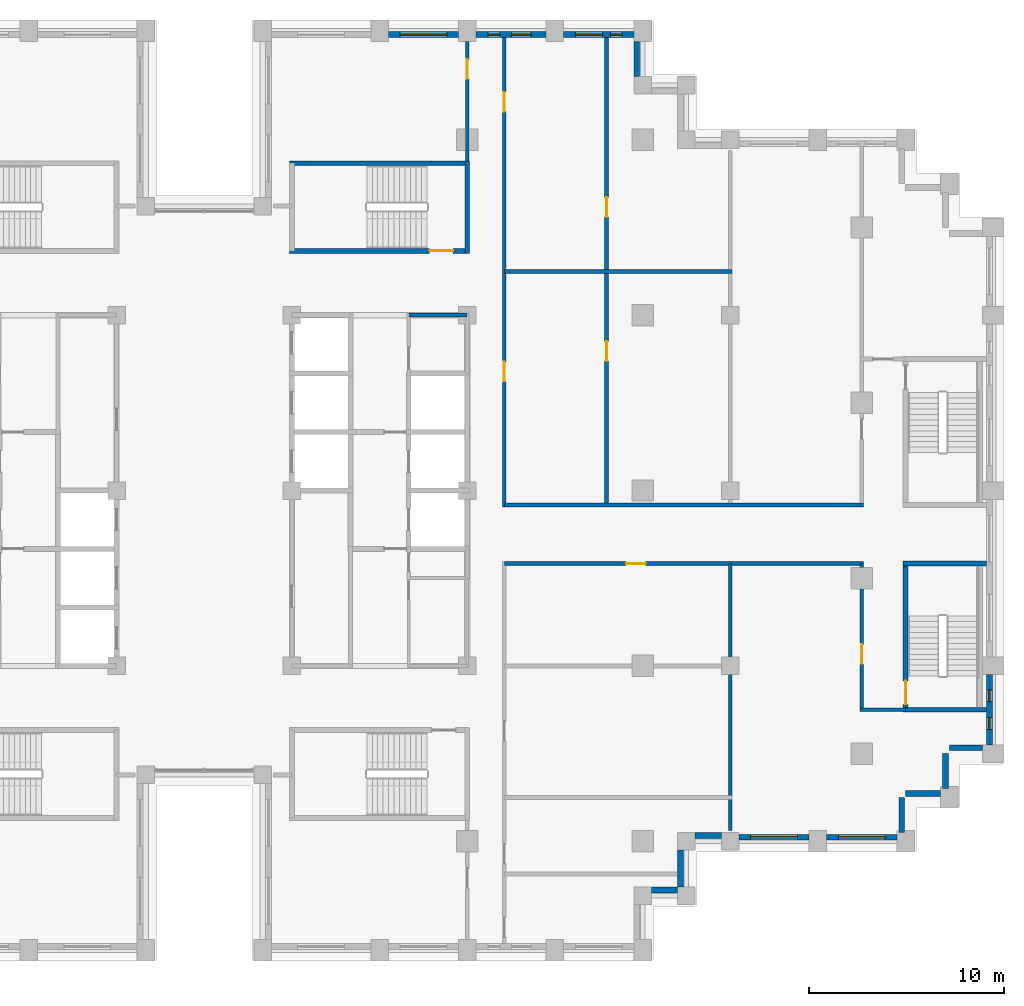
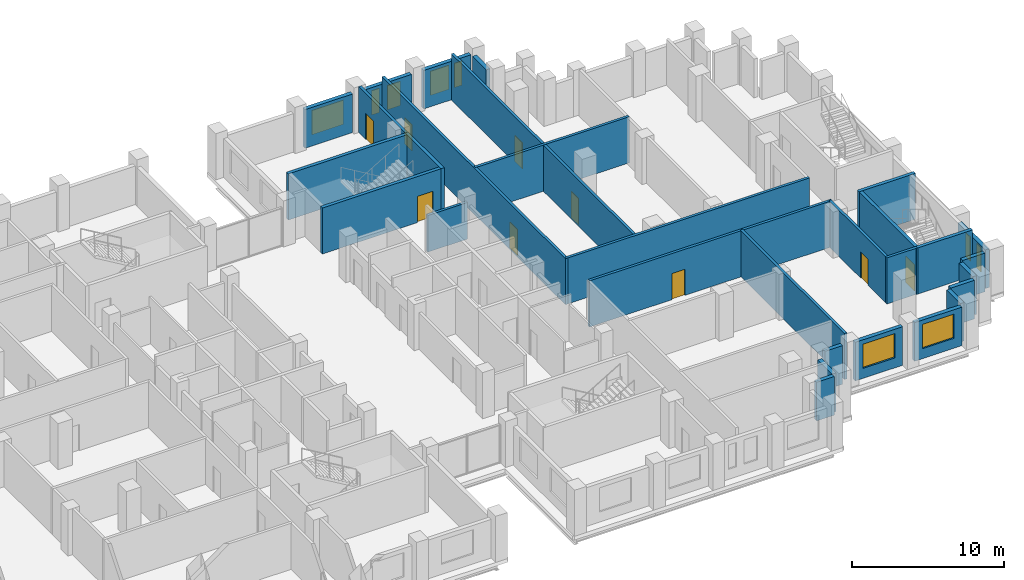
# One storey, part 11 of 15: 30 walls, 9 doors, 9 windows, 18 openings.
"""IFC4 building model written with IfcOpenShell, lengths in metres."""

import ifcopenshell
import ifcopenshell.guid

model = None  # the IFC model being written
_history = None  # IfcOwnerHistory: only IFC2X3 demands one
_inside = {}  # id of a spatial element -> (the spatial element, [elements in it])
_under = {}  # id of a project, library or spatial element -> (it, [spatial elements below it])
_declared = {}  # id of a project -> (the project, [libraries it declares])
_typed = {}  # id of a type object -> (the type object, [elements of that type])
_made_of = {}  # id of a material, layer set ... -> (it, [elements and type objects made of it])


def new_model(schema):
    """Start an empty IFC model of exactly this schema.

    Asked for "IFC4X3", IfcOpenShell would pick the latest addendum, in which some entities
    have other attributes; the version numbers below select the first issue.
    IFC2X3 requires an IfcOwnerHistory on every rooted entity: one is made here for all.
    """
    global model, _history
    if schema == "IFC4X3":
        model = ifcopenshell.file(schema_version=(4, 3, 0, 0))
    else:
        model = ifcopenshell.file(schema=schema)
    _inside.clear()
    _under.clear()
    _declared.clear()
    _typed.clear()
    _made_of.clear()
    _history = None
    if model.schema == "IFC2X3":
        org = make("IfcOrganization", Name="unknown")
        user = make(
            "IfcPersonAndOrganization",
            ThePerson=make("IfcPerson", FamilyName="unknown"),
            TheOrganization=org,
        )
        app = make(
            "IfcApplication",
            ApplicationDeveloper=org,
            Version="unknown",
            ApplicationFullName="unknown",
            ApplicationIdentifier="unknown",
        )
        _history = make(
            "IfcOwnerHistory",
            OwningUser=user,
            OwningApplication=app,
            ChangeAction="ADDED",
            CreationDate=0,
        )
    return model


def make(cls, **values):
    """One entity of the class cls with the attributes given. An attribute that is None is left unset."""
    return model.create_entity(
        cls, **{name: value for name, value in values.items() if value is not None}
    )


def rooted(cls, **values):
    """An entity with a GlobalId (a new one), such as an element, a storey or a relation."""
    return make(cls, GlobalId=ifcopenshell.guid.new(), OwnerHistory=_history, **values)


def si_unit(unit_type, name, prefix=None):
    """IfcSIUnit, for example si_unit("LENGTHUNIT", "METRE", prefix="MILLI")."""
    return make("IfcSIUnit", UnitType=unit_type, Prefix=prefix, Name=name)


def assignment(units):
    """IfcUnitAssignment: the units of a project."""
    return None if units is None else make("IfcUnitAssignment", Units=units)


def point(xyz):
    """IfcCartesianPoint."""
    return None if xyz is None else make("IfcCartesianPoint", Coordinates=xyz)


def direction(xyz):
    """IfcDirection."""
    return None if xyz is None else make("IfcDirection", DirectionRatios=xyz)


def frame(location, z_axis=None, x_axis=None):
    """IfcAxis2Placement3D, a coordinate frame: its origin and axes. An axis left out is left unset."""
    return make(
        "IfcAxis2Placement3D",
        Location=point(location),
        Axis=direction(z_axis),
        RefDirection=direction(x_axis),
    )


def frame_2d(location, x_axis=None):
    """IfcAxis2Placement2D, a coordinate frame in the plane: its origin and x axis."""
    return make(
        "IfcAxis2Placement2D", Location=point(location), RefDirection=direction(x_axis)
    )


def origin():
    """The frame at (0, 0, 0) with its axes left unset."""
    return frame((0.0, 0.0, 0.0))


def place(relative_to, where):
    """IfcLocalPlacement: puts the frame where relative to a parent placement (None: the world)."""
    return make(
        "IfcLocalPlacement", PlacementRelTo=relative_to, RelativePlacement=where
    )


def context(
    kind, dimensions, precision=None, world=None, true_north=None, identifier=None
):
    """IfcGeometricRepresentationContext, for example the 3D "Model" context."""
    return make(
        "IfcGeometricRepresentationContext",
        ContextIdentifier=identifier,
        ContextType=kind,
        CoordinateSpaceDimension=dimensions,
        Precision=precision,
        WorldCoordinateSystem=world,
        TrueNorth=true_north,
    )


def subcontext(parent, identifier, kind, view, scale=None):
    """IfcGeometricRepresentationSubContext, for example "Body" below "Model"."""
    return make(
        "IfcGeometricRepresentationSubContext",
        ContextIdentifier=identifier,
        ContextType=kind,
        ParentContext=parent,
        TargetScale=scale,
        TargetView=view,
    )


def project(units=None, contexts=None):
    """IfcProject with its units and contexts."""
    return rooted(
        "IfcProject",
        Name="project",
        RepresentationContexts=contexts,
        UnitsInContext=assignment(units),
    )


def spatial(cls, under=None, at=None, **own):
    """A site, building, storey or space (cls), placed at a placement, below another one or the project."""
    s = rooted(cls, ObjectPlacement=at, **own)
    if under is not None:
        _under.setdefault(under.id(), (under, []))[1].append(s)
    return s


def profile(cls, at=None, kind="AREA", **sizes):
    """A parametric profile (cls). Its sizes go by their IFC names, for example OverallWidth=200.0."""
    return make(cls, ProfileType=kind, Position=at, **sizes)


def rectangle(**sizes):
    """IfcRectangleProfileDef."""
    return profile("IfcRectangleProfileDef", **sizes)


def extrude(swept, where, along, depth):
    """IfcExtrudedAreaSolid: the profile swept, set in the frame where, extruded along a direction by depth."""
    return make(
        "IfcExtrudedAreaSolid",
        SweptArea=swept,
        Position=where,
        ExtrudedDirection=direction(along),
        Depth=depth,
    )


def shape(context_of_items, identifier, shape_type, items):
    """IfcShapeRepresentation: the items that make up one representation, for example the "Body"."""
    return make(
        "IfcShapeRepresentation",
        ContextOfItems=context_of_items,
        RepresentationIdentifier=identifier,
        RepresentationType=shape_type,
        Items=items,
    )


def material(Name=None, Category=None):
    """IfcMaterial."""
    return make("IfcMaterial", Name=Name, Category=Category)


def layer(
    of_material, thickness, ventilated=None, Name=None, Category=None, Priority=None
):
    """IfcMaterialLayer: one layer of a wall or slab, of a material (None: an air gap)."""
    return make(
        "IfcMaterialLayer",
        Material=of_material,
        LayerThickness=thickness,
        IsVentilated=ventilated,
        Name=Name,
        Category=Category,
        Priority=Priority,
    )


def layer_set(layers, Name=None):
    """IfcMaterialLayerSet."""
    return make("IfcMaterialLayerSet", MaterialLayers=layers, LayerSetName=Name)


def made_of(thing, what):
    """Note that an element or type object is made of a material, layer set ...; save() writes the relation."""
    if what is not None:
        _made_of.setdefault(what.id(), (what, []))[1].append(thing)
    return thing


def type_object(cls, material=None, **own):
    """A type object (cls), such as IfcWallType, which elements share."""
    return made_of(rooted(cls, **own), material)


def element(
    cls,
    number,
    at=None,
    inside=None,
    cuts=None,
    type_object=None,
    material=None,
    context=None,
    identifier="Body",
    shape_type=None,
    held_by="IfcProductDefinitionShape",
    body=None,
    shapes=None,
    **own,
):
    """One element of the class cls, such as IfcWall. Its Tag is "e" and its number.

    at: its placement. inside: the storey or other place that contains it. cuts: it is an
    opening in that element (IfcRelVoidsElement). A single representation is given by context,
    identifier, shape_type and body (its items); several are given by shapes. held_by: the class
    of the entity that holds the representations. save() writes the other relations.
    """
    e = rooted(cls, Tag="e%d" % number, ObjectPlacement=at, **own)
    if body is not None:
        shapes = [shape(context, identifier, shape_type, body)]
    if shapes is not None:
        e.Representation = make(held_by, Representations=shapes)
    if inside is not None:
        _inside.setdefault(inside.id(), (inside, []))[1].append(e)
    if cuts is not None:
        rooted(
            "IfcRelVoidsElement", RelatingBuildingElement=cuts, RelatedOpeningElement=e
        )
    if type_object is not None:
        _typed.setdefault(type_object.id(), (type_object, []))[1].append(e)
    return made_of(e, material)


def fill(opening, filler):
    """IfcRelFillsElement: the door or window that sits in an opening."""
    return rooted(
        "IfcRelFillsElement",
        RelatingOpeningElement=opening,
        RelatedBuildingElement=filler,
    )


def aggregate(whole, parts):
    """IfcRelAggregates: a whole, such as a stair, and the parts it consists of."""
    return rooted("IfcRelAggregates", RelatingObject=whole, RelatedObjects=parts)


def save(model, path):
    """Write the relations noted so far, then the file.

    IfcRelAggregates (storeys below a building ...), IfcRelContainedInSpatialStructure (elements
    in a storey), IfcRelDefinesByType, IfcRelAssociatesMaterial and IfcRelDeclares: one each for
    every whole, place, type object, material and project.
    """
    for whole, parts in _under.values():
        aggregate(whole, parts)
    for where, things in _inside.values():
        rooted(
            "IfcRelContainedInSpatialStructure",
            RelatedElements=things,
            RelatingStructure=where,
        )
    for kind, things in _typed.values():
        rooted("IfcRelDefinesByType", RelatedObjects=things, RelatingType=kind)
    for what, things in _made_of.values():
        rooted("IfcRelAssociatesMaterial", RelatedObjects=things, RelatingMaterial=what)
    for by, libraries in _declared.values():
        rooted("IfcRelDeclares", RelatingContext=by, RelatedDefinitions=libraries)
    model.write(path)


model = new_model("IFC4")

# Units and contexts
model_context = context("Model", 3, precision=1e-05, world=origin(), true_north=direction((0.0, 1.0)))
body_context = subcontext(model_context, "Body", "Model", "MODEL_VIEW")
ifc_project = project(units=[si_unit("LENGTHUNIT", "METRE"), si_unit("AREAUNIT", "SQUARE_METRE"), si_unit("VOLUMEUNIT", "CUBIC_METRE"), si_unit("PLANEANGLEUNIT", "RADIAN"), si_unit("MASSUNIT", "GRAM", prefix="KILO")], contexts=[model_context])

# Site, building, storey
site_placement = place(None, origin())
site = spatial("IfcSite", under=ifc_project, at=site_placement, CompositionType="ELEMENT")
building_placement = place(site_placement, origin())
building = spatial("IfcBuilding", under=site, at=building_placement, Name="Corbelhall Arena Tower", CompositionType="ELEMENT")
storey_placement = place(building_placement, frame((0.0, 0.0, 166.0)))
storey = spatial("IfcBuildingStorey", under=building, at=storey_placement, Name="L33", CompositionType="ELEMENT", Elevation=166.0)

# Walls
ifc_material_1 = material(Name="Precast concrete C40/50 with granite facing", Category="masonry")
ifc_layer_1 = layer(ifc_material_1, 0.300048828125)
ifc_layer_set_1 = layer_set([ifc_layer_1], Name="EV-IW1 Infill panel 300")
wall_type_1 = type_object("IfcWallType", Name="EV-IW1 Infill panel 300", PredefinedType="SOLIDWALL", material=ifc_layer_set_1)
for number, where, z_axis, x_axis, name in (
    (1, (35.800048828125, -17.550048828125, 0.0), (0.0, 0.0, 1.0), (0.0, 1.0, 0.0), "Infill panel IW1"),
    (2, (37.800048828125, -15.550048828125, 0.0), (0.0, 0.0, 1.0), (-1.0, 0.0, 0.0), "Infill panel IW1"),
    (3, (38.050048828125, -15.300048828125, 0.0), (0.0, 0.0, 1.0), (0.0, 1.0, 0.0), "Infill panel IW1"),
):
    element("IfcWall", number, at=place(storey_placement, frame(where, z_axis=z_axis, x_axis=x_axis)), inside=storey, type_object=wall_type_1, Name=name, PredefinedType="SOLIDWALL", context=body_context, shape_type="SweptSolid", body=[
        extrude(rectangle(XDim=1.800048828125, YDim=0.300048828125, at=frame_2d((0.89990234375, 0.0))), origin(), (0.0, 0.0, 1.0), 3.10009765625),
    ])
wall_1_placement = place(storey_placement, frame((39.949951171875, -13.199951171875, 0.0), z_axis=(0.0, 0.0, 1.0), x_axis=(-1.0, 0.0, 0.0)))
element("IfcWall", 4, at=wall_1_placement, inside=storey, type_object=wall_type_1, Name="Infill panel IW1", PredefinedType="SOLIDWALL", context=body_context, shape_type="SweptSolid", body=[
    extrude(rectangle(XDim=1.699951171875, YDim=0.300048828125, at=frame_2d((0.85009765625, 0.0))), origin(), (0.0, 0.0, 1.0), 3.10009765625),
])
wall_2_placement = place(storey_placement, frame((22.949951171875, -20.5, 0.0), z_axis=(0.0, 0.0, 1.0), x_axis=(1.0, 0.0, 0.0)))
element("IfcWall", 5, at=wall_2_placement, inside=storey, type_object=wall_type_1, Name="Infill panel IW1", PredefinedType="SOLIDWALL", context=body_context, shape_type="SweptSolid", body=[
    extrude(rectangle(XDim=1.35009765625, YDim=0.300048828125, at=frame_2d((0.675048828125, 0.0))), origin(), (0.0, 0.0, 1.0), 3.10009765625),
])
wall_3_placement = place(storey_placement, frame((24.449951171875, -20.35009765625, 0.0), z_axis=(0.0, 0.0, 1.0), x_axis=(0.0, 1.0, 0.0)))
element("IfcWall", 6, at=wall_3_placement, inside=storey, type_object=wall_type_1, Name="Infill panel IW1", PredefinedType="SOLIDWALL", context=body_context, shape_type="SweptSolid", body=[
    extrude(rectangle(XDim=1.900146484375, YDim=0.300048828125, at=frame_2d((0.9501953125, 0.0))), origin(), (0.0, 0.0, 1.0), 3.10009765625),
])
wall_4_placement = place(storey_placement, frame((25.199951171875, -17.699951171875, 0.0), z_axis=(0.0, 0.0, 1.0), x_axis=(1.0, 0.0, 0.0)))
element("IfcWall", 7, at=wall_4_placement, inside=storey, type_object=wall_type_1, Name="Infill panel IW1", PredefinedType="SOLIDWALL", context=body_context, shape_type="SweptSolid", body=[
    extrude(rectangle(XDim=1.35009765625, YDim=0.300048828125, at=frame_2d((0.675048828125, 0.0))), origin(), (0.0, 0.0, 1.0), 3.10009765625),
])

# Wall, opening, window
wall_5_placement = place(storey_placement, frame((27.449951171875, -17.800048828125, 0.0), z_axis=(0.0, 0.0, 1.0), x_axis=(1.0, 0.0, 0.0)))
wall_5 = element("IfcWall", 8, at=wall_5_placement, inside=storey, type_object=wall_type_1, Name="Infill panel IW1", PredefinedType="SOLIDWALL", context=body_context, shape_type="SweptSolid", body=[
    extrude(rectangle(XDim=3.60009765625, YDim=0.300048828125, at=frame_2d((1.800048828125, 0.0))), origin(), (0.0, 0.0, 1.0), 3.10009765625),
])
opening_1_placement = place(wall_5_placement, frame((0.60009765625, 0.0, 0.800048828125)))
opening_1 = element("IfcOpeningElement", 9, at=opening_1_placement, cuts=wall_5, Name="Opening WN1", PredefinedType="OPENING", context=body_context, shape_type="SweptSolid", body=[
    extrude(rectangle(XDim=2.39990234375, YDim=1.949951171875, at=frame_2d((1.199951171875, 0.97509765625))), frame((0.0, 0.14990234375, 0.0), z_axis=(0.0, -1.0, 0.0), x_axis=(1.0, 0.0, 0.0)), (0.0, 0.0, 1.0), 0.300048828125),
])
ifc_material_2 = material(Name="Aluminium black anodised", Category="aluminium")
window_type_1 = type_object("IfcWindowType", Name="EV-WN1 Office window", PartitioningType="SINGLE_PANEL", PredefinedType="WINDOW", material=ifc_material_2)
window_1_placement = place(opening_1_placement, origin())
window_1 = element("IfcWindow", 10, at=window_1_placement, inside=storey, type_object=window_type_1, Name="Window WN1", OverallHeight=1.949951171875, OverallWidth=2.39990234375, PartitioningType="SINGLE_PANEL", PredefinedType="WINDOW", context=body_context, shape_type="SweptSolid", body=[
    extrude(rectangle(XDim=2.39990234375, YDim=1.949951171875, at=frame_2d((1.199951171875, 0.97509765625))), frame((0.0, 0.030029296875, 0.0), z_axis=(0.0, -1.0, 0.0), x_axis=(1.0, 0.0, 0.0)), (0.0, 0.0, 1.0), 0.06005859375),
])
fill(opening_1, window_1)

wall_6_placement = place(storey_placement, frame((31.949951171875, -17.800048828125, 0.0), z_axis=(0.0, 0.0, 1.0), x_axis=(1.0, 0.0, 0.0)))
wall_6 = element("IfcWall", 11, at=wall_6_placement, inside=storey, type_object=wall_type_1, Name="Infill panel IW1", PredefinedType="SOLIDWALL", context=body_context, shape_type="SweptSolid", body=[
    extrude(rectangle(XDim=3.60009765625, YDim=0.300048828125, at=frame_2d((1.800048828125, 0.0))), origin(), (0.0, 0.0, 1.0), 3.10009765625),
])
opening_2_placement = place(wall_6_placement, frame((0.60009765625, 0.0, 0.800048828125)))
opening_2 = element("IfcOpeningElement", 12, at=opening_2_placement, cuts=wall_6, Name="Opening WN1", PredefinedType="OPENING", context=body_context, shape_type="SweptSolid", body=[
    extrude(rectangle(XDim=2.39990234375, YDim=1.949951171875, at=frame_2d((1.199951171875, 0.97509765625))), frame((0.0, 0.14990234375, 0.0), z_axis=(0.0, -1.0, 0.0), x_axis=(1.0, 0.0, 0.0)), (0.0, 0.0, 1.0), 0.300048828125),
])
window_2_placement = place(opening_2_placement, origin())
window_2 = element("IfcWindow", 13, at=window_2_placement, inside=storey, type_object=window_type_1, Name="Window WN1", OverallHeight=1.949951171875, OverallWidth=2.39990234375, PartitioningType="SINGLE_PANEL", PredefinedType="WINDOW", context=body_context, shape_type="SweptSolid", body=[
    extrude(rectangle(XDim=2.39990234375, YDim=1.949951171875, at=frame_2d((1.199951171875, 0.97509765625))), frame((0.0, 0.030029296875, 0.0), z_axis=(0.0, -1.0, 0.0), x_axis=(1.0, 0.0, 0.0)), (0.0, 0.0, 1.0), 0.06005859375),
])
fill(opening_2, window_2)

# Wall, openings, windows
wall_7_placement = place(storey_placement, frame((40.300048828125, -13.050048828125, 0.0), z_axis=(0.0, 0.0, 1.0), x_axis=(0.0, 1.0, 0.0)))
wall_7 = element("IfcWall", 14, at=wall_7_placement, inside=storey, type_object=wall_type_1, Name="Infill panel IW1", PredefinedType="SOLIDWALL", context=body_context, shape_type="SweptSolid", body=[
    extrude(rectangle(XDim=3.60009765625, YDim=0.300048828125, at=frame_2d((1.800048828125, 0.0))), origin(), (0.0, 0.0, 1.0), 3.10009765625),
])
opening_3_placement = place(wall_7_placement, frame((0.78759765625, 0.0, 0.800048828125)))
opening_3 = element("IfcOpeningElement", 15, at=opening_3_placement, cuts=wall_7, Name="Opening WN5", PredefinedType="OPENING", context=body_context, shape_type="SweptSolid", body=[
    extrude(rectangle(XDim=0.60009765625, YDim=1.949951171875, at=frame_2d((0.300048828125, 0.97509765625))), frame((0.0, 0.14990234375, 0.0), z_axis=(0.0, -1.0, 0.0), x_axis=(1.0, 0.0, 0.0)), (0.0, 0.0, 1.0), 0.300048828125),
])
opening_4_placement = place(wall_7_placement, frame((2.21240234375, 0.0, 0.800048828125)))
opening_4 = element("IfcOpeningElement", 16, at=opening_4_placement, cuts=wall_7, Name="Opening WN5", PredefinedType="OPENING", context=body_context, shape_type="SweptSolid", body=[
    extrude(rectangle(XDim=0.60009765625, YDim=1.949951171875, at=frame_2d((0.300048828125, 0.97509765625))), frame((0.0, 0.14990234375, 0.0), z_axis=(0.0, -1.0, 0.0), x_axis=(1.0, 0.0, 0.0)), (0.0, 0.0, 1.0), 0.300048828125),
])
window_type_2 = type_object("IfcWindowType", Name="EV-WN5 Office window 600", PartitioningType="SINGLE_PANEL", PredefinedType="WINDOW", material=ifc_material_2)
window_3_placement = place(opening_3_placement, origin())
window_3 = element("IfcWindow", 17, at=window_3_placement, inside=storey, type_object=window_type_2, Name="Window WN5", OverallHeight=1.949951171875, OverallWidth=0.60009765625, PartitioningType="SINGLE_PANEL", PredefinedType="WINDOW", context=body_context, shape_type="SweptSolid", body=[
    extrude(rectangle(XDim=0.60009765625, YDim=1.949951171875, at=frame_2d((0.300048828125, 0.97509765625))), frame((0.0, 0.030029296875, 0.0), z_axis=(0.0, -1.0, 0.0), x_axis=(1.0, 0.0, 0.0)), (0.0, 0.0, 1.0), 0.06005859375),
])
fill(opening_3, window_3)
window_4_placement = place(opening_4_placement, origin())
window_4 = element("IfcWindow", 18, at=window_4_placement, inside=storey, type_object=window_type_2, Name="Window WN5", OverallHeight=1.949951171875, OverallWidth=0.60009765625, PartitioningType="SINGLE_PANEL", PredefinedType="WINDOW", context=body_context, shape_type="SweptSolid", body=[
    extrude(rectangle(XDim=0.60009765625, YDim=1.949951171875, at=frame_2d((0.300048828125, 0.97509765625))), frame((0.0, 0.030029296875, 0.0), z_axis=(0.0, -1.0, 0.0), x_axis=(1.0, 0.0, 0.0)), (0.0, 0.0, 1.0), 0.06005859375),
])
fill(opening_4, window_4)

# Wall
wall_8_placement = place(storey_placement, frame((22.199951171875, 21.25, 0.0), z_axis=(0.0, 0.0, 1.0), x_axis=(0.0, 1.0, 0.0)))
element("IfcWall", 19, at=wall_8_placement, inside=storey, type_object=wall_type_1, Name="Infill panel IW1", PredefinedType="SOLIDWALL", context=body_context, shape_type="SweptSolid", body=[
    extrude(rectangle(XDim=1.800048828125, YDim=0.300048828125, at=frame_2d((0.89990234375, 0.0))), origin(), (0.0, 0.0, 1.0), 3.10009765625),
])

# Wall, openings, windows
wall_9_placement = place(storey_placement, frame((22.050048828125, 23.39990234375, 0.0), z_axis=(0.0, 0.0, 1.0), x_axis=(-1.0, 0.0, 0.0)))
wall_9 = element("IfcWall", 20, at=wall_9_placement, inside=storey, type_object=wall_type_1, Name="Infill panel IW1", PredefinedType="SOLIDWALL", context=body_context, shape_type="SweptSolid", body=[
    extrude(rectangle(XDim=3.60009765625, YDim=0.300048828125, at=frame_2d((1.800048828125, 0.0))), origin(), (0.0, 0.0, 1.0), 3.10009765625),
])
opening_5_placement = place(wall_9_placement, frame((0.60009765625, 0.0, 0.800048828125)))
opening_5 = element("IfcOpeningElement", 21, at=opening_5_placement, cuts=wall_9, Name="Opening WN5", PredefinedType="OPENING", context=body_context, shape_type="SweptSolid", body=[
    extrude(rectangle(XDim=0.60009765625, YDim=1.949951171875, at=frame_2d((0.300048828125, 0.97509765625))), frame((0.0, 0.14990234375, 0.0), z_axis=(0.0, -1.0, 0.0), x_axis=(1.0, 0.0, 0.0)), (0.0, 0.0, 1.0), 0.300048828125),
])
opening_6_placement = place(wall_9_placement, frame((1.60009765625, 0.0, 0.800048828125)))
opening_6 = element("IfcOpeningElement", 22, at=opening_6_placement, cuts=wall_9, Name="Opening WN7", PredefinedType="OPENING", context=body_context, shape_type="SweptSolid", body=[
    extrude(rectangle(XDim=1.39990234375, YDim=1.949951171875, at=frame_2d((0.699951171875, 0.97509765625))), frame((0.0, 0.14990234375, 0.0), z_axis=(0.0, -1.0, 0.0), x_axis=(1.0, 0.0, 0.0)), (0.0, 0.0, 1.0), 0.300048828125),
])
window_5_placement = place(opening_5_placement, origin())
window_5 = element("IfcWindow", 23, at=window_5_placement, inside=storey, type_object=window_type_2, Name="Window WN5", OverallHeight=1.949951171875, OverallWidth=0.60009765625, PartitioningType="SINGLE_PANEL", PredefinedType="WINDOW", context=body_context, shape_type="SweptSolid", body=[
    extrude(rectangle(XDim=0.60009765625, YDim=1.949951171875, at=frame_2d((0.300048828125, 0.97509765625))), frame((0.0, 0.030029296875, 0.0), z_axis=(0.0, -1.0, 0.0), x_axis=(1.0, 0.0, 0.0)), (0.0, 0.0, 1.0), 0.06005859375),
])
fill(opening_5, window_5)
window_type_3 = type_object("IfcWindowType", Name="EV-WN7 Office window 1400", PartitioningType="SINGLE_PANEL", PredefinedType="WINDOW", material=ifc_material_2)
window_6_placement = place(opening_6_placement, origin())
window_6 = element("IfcWindow", 24, at=window_6_placement, inside=storey, type_object=window_type_3, Name="Window WN7", OverallHeight=1.949951171875, OverallWidth=1.39990234375, PartitioningType="SINGLE_PANEL", PredefinedType="WINDOW", context=body_context, shape_type="SweptSolid", body=[
    extrude(rectangle(XDim=1.39990234375, YDim=1.949951171875, at=frame_2d((0.699951171875, 0.97509765625))), frame((0.0, 0.030029296875, 0.0), z_axis=(0.0, -1.0, 0.0), x_axis=(1.0, 0.0, 0.0)), (0.0, 0.0, 1.0), 0.06005859375),
])
fill(opening_6, window_6)

wall_10_placement = place(storey_placement, frame((17.550048828125, 23.39990234375, 0.0), z_axis=(0.0, 0.0, 1.0), x_axis=(-1.0, 0.0, 0.0)))
wall_10 = element("IfcWall", 25, at=wall_10_placement, inside=storey, type_object=wall_type_1, Name="Infill panel IW1", PredefinedType="SOLIDWALL", context=body_context, shape_type="SweptSolid", body=[
    extrude(rectangle(XDim=3.60009765625, YDim=0.300048828125, at=frame_2d((1.800048828125, 0.0))), origin(), (0.0, 0.0, 1.0), 3.10009765625),
])
opening_7_placement = place(wall_10_placement, frame((0.77490234375, 0.0, 0.800048828125)))
opening_7 = element("IfcOpeningElement", 26, at=opening_7_placement, cuts=wall_10, Name="Opening WN6", PredefinedType="OPENING", context=body_context, shape_type="SweptSolid", body=[
    extrude(rectangle(XDim=1.0, YDim=1.949951171875, at=frame_2d((0.5, 0.97509765625))), frame((0.0, 0.14990234375, 0.0), z_axis=(0.0, -1.0, 0.0), x_axis=(1.0, 0.0, 0.0)), (0.0, 0.0, 1.0), 0.300048828125),
])
opening_8_placement = place(wall_10_placement, frame((2.375, 0.0, 0.800048828125)))
opening_8 = element("IfcOpeningElement", 27, at=opening_8_placement, cuts=wall_10, Name="Opening WN5", PredefinedType="OPENING", context=body_context, shape_type="SweptSolid", body=[
    extrude(rectangle(XDim=0.60009765625, YDim=1.949951171875, at=frame_2d((0.300048828125, 0.97509765625))), frame((0.0, 0.14990234375, 0.0), z_axis=(0.0, -1.0, 0.0), x_axis=(1.0, 0.0, 0.0)), (0.0, 0.0, 1.0), 0.300048828125),
])
window_7_placement = place(opening_8_placement, origin())
window_7 = element("IfcWindow", 28, at=window_7_placement, inside=storey, type_object=window_type_2, Name="Window WN5", OverallHeight=1.949951171875, OverallWidth=0.60009765625, PartitioningType="SINGLE_PANEL", PredefinedType="WINDOW", context=body_context, shape_type="SweptSolid", body=[
    extrude(rectangle(XDim=0.60009765625, YDim=1.949951171875, at=frame_2d((0.300048828125, 0.97509765625))), frame((0.0, 0.030029296875, 0.0), z_axis=(0.0, -1.0, 0.0), x_axis=(1.0, 0.0, 0.0)), (0.0, 0.0, 1.0), 0.06005859375),
])
fill(opening_8, window_7)
window_type_4 = type_object("IfcWindowType", Name="EV-WN6 Office window 1000", PartitioningType="SINGLE_PANEL", PredefinedType="WINDOW", material=ifc_material_2)
window_8_placement = place(opening_7_placement, origin())
window_8 = element("IfcWindow", 29, at=window_8_placement, inside=storey, type_object=window_type_4, Name="Window WN6", OverallHeight=1.949951171875, OverallWidth=1.0, PartitioningType="SINGLE_PANEL", PredefinedType="WINDOW", context=body_context, shape_type="SweptSolid", body=[
    extrude(rectangle(XDim=1.0, YDim=1.949951171875, at=frame_2d((0.5, 0.97509765625))), frame((0.0, 0.030029296875, 0.0), z_axis=(0.0, -1.0, 0.0), x_axis=(1.0, 0.0, 0.0)), (0.0, 0.0, 1.0), 0.06005859375),
])
fill(opening_7, window_8)

# Wall, opening, window
wall_11_placement = place(storey_placement, frame((13.050048828125, 23.39990234375, 0.0), z_axis=(0.0, 0.0, 1.0), x_axis=(-1.0, 0.0, 0.0)))
wall_11 = element("IfcWall", 30, at=wall_11_placement, inside=storey, type_object=wall_type_1, Name="Infill panel IW1", PredefinedType="SOLIDWALL", context=body_context, shape_type="SweptSolid", body=[
    extrude(rectangle(XDim=3.60009765625, YDim=0.300048828125, at=frame_2d((1.800048828125, 0.0))), origin(), (0.0, 0.0, 1.0), 3.10009765625),
])
opening_9_placement = place(wall_11_placement, frame((0.60009765625, 0.0, 0.800048828125)))
opening_9 = element("IfcOpeningElement", 31, at=opening_9_placement, cuts=wall_11, Name="Opening WN1", PredefinedType="OPENING", context=body_context, shape_type="SweptSolid", body=[
    extrude(rectangle(XDim=2.39990234375, YDim=1.949951171875, at=frame_2d((1.199951171875, 0.97509765625))), frame((0.0, 0.14990234375, 0.0), z_axis=(0.0, -1.0, 0.0), x_axis=(1.0, 0.0, 0.0)), (0.0, 0.0, 1.0), 0.300048828125),
])
window_9_placement = place(opening_9_placement, origin())
window_9 = element("IfcWindow", 32, at=window_9_placement, inside=storey, type_object=window_type_1, Name="Window WN1", OverallHeight=1.949951171875, OverallWidth=2.39990234375, PartitioningType="SINGLE_PANEL", PredefinedType="WINDOW", context=body_context, shape_type="SweptSolid", body=[
    extrude(rectangle(XDim=2.39990234375, YDim=1.949951171875, at=frame_2d((1.199951171875, 0.97509765625))), frame((0.0, 0.030029296875, 0.0), z_axis=(0.0, -1.0, 0.0), x_axis=(1.0, 0.0, 0.0)), (0.0, 0.0, 1.0), 0.06005859375),
])
fill(opening_9, window_9)

# Wall, opening, door
ifc_material_3 = material(Name="Gypsum board on steel stud, acoustic", Category="steel")
ifc_layer_2 = layer(ifc_material_3, 0.199951171875)
ifc_layer_set_2 = layer_set([ifc_layer_2], Name="IN-W-DM200")
wall_type_2 = type_object("IfcWallType", Name="IN-W-DM200", PredefinedType="PARTITIONING", material=ifc_layer_set_2)
wall_12_placement = place(storey_placement, frame((13.5, 16.675048828125, 0.0), z_axis=(0.0, 0.0, 1.0), x_axis=(0.0, 1.0, 0.0)))
wall_12 = element("IfcWall", 33, at=wall_12_placement, inside=storey, type_object=wall_type_2, Name="Partition 028", PredefinedType="PARTITIONING", context=body_context, shape_type="SweptSolid", body=[
    extrude(rectangle(XDim=6.375, YDim=0.199951171875, at=frame_2d((3.1875, 0.0))), origin(), (0.0, 0.0, 1.0), 3.699951171875),
])
opening_10_placement = place(wall_12_placement, frame((4.449951171875, 0.0, 0.0)))
opening_10 = element("IfcOpeningElement", 34, at=opening_10_placement, cuts=wall_12, Name="Opening 09021", PredefinedType="OPENING", context=body_context, shape_type="SweptSolid", body=[
    extrude(rectangle(XDim=1.0, YDim=2.10009765625, at=frame_2d((0.5, 1.050048828125))), frame((0.0, 0.10009765625, 0.0), z_axis=(0.0, -1.0, 0.0), x_axis=(1.0, 0.0, 0.0)), (0.0, 0.0, 1.0), 0.199951171875),
])
ifc_material_4 = material(Name="Steel door set", Category="steel")
door_type_1 = type_object("IfcDoorType", Name="IN-D-SW100", OperationType="NOTDEFINED", PredefinedType="DOOR", material=ifc_material_4)
door_1_placement = place(opening_10_placement, origin())
door_1 = element("IfcDoor", 35, at=door_1_placement, inside=storey, type_object=door_type_1, Name="Door 021", OperationType="SINGLE_SWING_RIGHT", OverallHeight=2.10009765625, OverallWidth=1.0, PredefinedType="DOOR", context=body_context, shape_type="SweptSolid", body=[
    extrude(rectangle(XDim=1.0, YDim=2.10009765625, at=frame_2d((0.5, 1.050048828125))), frame((0.0, 0.02490234375, 0.0), z_axis=(0.0, -1.0, 0.0), x_axis=(1.0, 0.0, 0.0)), (0.0, 0.0, 1.0), 0.050048828125),
])
fill(opening_10, door_1)

# Walls
wall_13_placement = place(storey_placement, frame((15.39990234375, -0.75, 0.0), z_axis=(0.0, 0.0, 1.0), x_axis=(1.0, 0.0, 0.0)))
element("IfcWall", 36, at=wall_13_placement, inside=storey, type_object=wall_type_2, Name="Partition 033", PredefinedType="PARTITIONING", context=body_context, shape_type="SweptSolid", body=[
    extrude(rectangle(XDim=18.4501953125, YDim=0.199951171875, at=frame_2d((9.22509765625, 0.0))), origin(), (0.0, 0.0, 1.0), 3.699951171875),
])
wall_14_placement = place(storey_placement, frame((15.39990234375, 11.25, 0.0), z_axis=(0.0, 0.0, 1.0), x_axis=(1.0, 0.0, 0.0)))
element("IfcWall", 37, at=wall_14_placement, inside=storey, type_object=wall_type_2, Name="Partition 034", PredefinedType="PARTITIONING", context=body_context, shape_type="SweptSolid", body=[
    extrude(rectangle(XDim=11.7001953125, YDim=0.199951171875, at=frame_2d((5.85009765625, 0.0))), origin(), (0.0, 0.0, 1.0), 3.699951171875),
])

# Wall, openings, doors
wall_15_placement = place(storey_placement, frame((15.39990234375, 23.25, 0.0), z_axis=(0.0, 0.0, 1.0), x_axis=(0.0, -1.0, 0.0)))
wall_15 = element("IfcWall", 38, at=wall_15_placement, inside=storey, type_object=wall_type_2, Name="Partition 035", PredefinedType="PARTITIONING", context=body_context, shape_type="SweptSolid", body=[
    extrude(rectangle(XDim=24.10009765625, YDim=0.199951171875, at=frame_2d((12.050048828125, 0.0))), origin(), (0.0, 0.0, 1.0), 3.699951171875),
])
opening_11_placement = place(wall_15_placement, frame((16.64990234375, 0.0, 0.0)))
opening_11 = element("IfcOpeningElement", 39, at=opening_11_placement, cuts=wall_15, Name="Opening 09031", PredefinedType="OPENING", context=body_context, shape_type="SweptSolid", body=[
    extrude(rectangle(XDim=1.0, YDim=2.10009765625, at=frame_2d((0.5, 1.050048828125))), frame((0.0, 0.10009765625, 0.0), z_axis=(0.0, -1.0, 0.0), x_axis=(1.0, 0.0, 0.0)), (0.0, 0.0, 1.0), 0.199951171875),
])
opening_12_placement = place(wall_15_placement, frame((2.800048828125, 0.0, 0.0)))
opening_12 = element("IfcOpeningElement", 40, at=opening_12_placement, cuts=wall_15, Name="Opening 09033", PredefinedType="OPENING", context=body_context, shape_type="SweptSolid", body=[
    extrude(rectangle(XDim=1.0, YDim=2.10009765625, at=frame_2d((0.5, 1.050048828125))), frame((0.0, 0.10009765625, 0.0), z_axis=(0.0, -1.0, 0.0), x_axis=(1.0, 0.0, 0.0)), (0.0, 0.0, 1.0), 0.199951171875),
])
door_2_placement = place(opening_11_placement, origin())
door_2 = element("IfcDoor", 41, at=door_2_placement, inside=storey, type_object=door_type_1, Name="Door 031", OperationType="SINGLE_SWING_RIGHT", OverallHeight=2.10009765625, OverallWidth=1.0, PredefinedType="DOOR", context=body_context, shape_type="SweptSolid", body=[
    extrude(rectangle(XDim=1.0, YDim=2.10009765625, at=frame_2d((0.5, 1.050048828125))), frame((0.0, 0.02490234375, 0.0), z_axis=(0.0, -1.0, 0.0), x_axis=(1.0, 0.0, 0.0)), (0.0, 0.0, 1.0), 0.050048828125),
])
fill(opening_11, door_2)
door_3_placement = place(opening_12_placement, origin())
door_3 = element("IfcDoor", 42, at=door_3_placement, inside=storey, type_object=door_type_1, Name="Door 033", OperationType="SINGLE_SWING_RIGHT", OverallHeight=2.10009765625, OverallWidth=1.0, PredefinedType="DOOR", context=body_context, shape_type="SweptSolid", body=[
    extrude(rectangle(XDim=1.0, YDim=2.10009765625, at=frame_2d((0.5, 1.050048828125))), frame((0.0, 0.02490234375, 0.0), z_axis=(0.0, -1.0, 0.0), x_axis=(1.0, 0.0, 0.0)), (0.0, 0.0, 1.0), 0.050048828125),
])
fill(opening_12, door_3)

wall_16_placement = place(storey_placement, frame((20.64990234375, 23.25, 0.0), z_axis=(0.0, 0.0, 1.0), x_axis=(0.0, -1.0, 0.0)))
wall_16 = element("IfcWall", 43, at=wall_16_placement, inside=storey, type_object=wall_type_2, Name="Partition 036", PredefinedType="PARTITIONING", context=body_context, shape_type="SweptSolid", body=[
    extrude(rectangle(XDim=24.0, YDim=0.199951171875, at=frame_2d((12.0, 0.0))), origin(), (0.0, 0.0, 1.0), 3.699951171875),
])
opening_13_placement = place(wall_16_placement, frame((15.60009765625, 0.0, 0.0)))
opening_13 = element("IfcOpeningElement", 44, at=opening_13_placement, cuts=wall_16, Name="Opening 09032", PredefinedType="OPENING", context=body_context, shape_type="SweptSolid", body=[
    extrude(rectangle(XDim=1.0, YDim=2.10009765625, at=frame_2d((0.5, 1.050048828125))), frame((0.0, 0.10009765625, 0.0), z_axis=(0.0, -1.0, 0.0), x_axis=(1.0, 0.0, 0.0)), (0.0, 0.0, 1.0), 0.199951171875),
])
opening_14_placement = place(wall_16_placement, frame((8.199951171875, 0.0, 0.0)))
opening_14 = element("IfcOpeningElement", 45, at=opening_14_placement, cuts=wall_16, Name="Opening 09034", PredefinedType="OPENING", context=body_context, shape_type="SweptSolid", body=[
    extrude(rectangle(XDim=1.0, YDim=2.10009765625, at=frame_2d((0.5, 1.050048828125))), frame((0.0, 0.10009765625, 0.0), z_axis=(0.0, -1.0, 0.0), x_axis=(1.0, 0.0, 0.0)), (0.0, 0.0, 1.0), 0.199951171875),
])
door_4_placement = place(opening_13_placement, origin())
door_4 = element("IfcDoor", 46, at=door_4_placement, inside=storey, type_object=door_type_1, Name="Door 032", OperationType="SINGLE_SWING_LEFT", OverallHeight=2.10009765625, OverallWidth=1.0, PredefinedType="DOOR", context=body_context, shape_type="SweptSolid", body=[
    extrude(rectangle(XDim=1.0, YDim=2.10009765625, at=frame_2d((0.5, 1.050048828125))), frame((0.0, 0.02490234375, 0.0), z_axis=(0.0, -1.0, 0.0), x_axis=(1.0, 0.0, 0.0)), (0.0, 0.0, 1.0), 0.050048828125),
])
fill(opening_13, door_4)
door_5_placement = place(opening_14_placement, origin())
door_5 = element("IfcDoor", 47, at=door_5_placement, inside=storey, type_object=door_type_1, Name="Door 034", OperationType="SINGLE_SWING_LEFT", OverallHeight=2.10009765625, OverallWidth=1.0, PredefinedType="DOOR", context=body_context, shape_type="SweptSolid", body=[
    extrude(rectangle(XDim=1.0, YDim=2.10009765625, at=frame_2d((0.5, 1.050048828125))), frame((0.0, 0.02490234375, 0.0), z_axis=(0.0, -1.0, 0.0), x_axis=(1.0, 0.0, 0.0)), (0.0, 0.0, 1.0), 0.050048828125),
])
fill(opening_14, door_5)

# Wall
wall_17_placement = place(storey_placement, frame((27.0, -3.75, 0.0), z_axis=(0.0, 0.0, 1.0), x_axis=(0.0, -1.0, 0.0)))
element("IfcWall", 48, at=wall_17_placement, inside=storey, type_object=wall_type_2, Name="Partition 037", PredefinedType="PARTITIONING", context=body_context, shape_type="SweptSolid", body=[
    extrude(rectangle(XDim=13.699951171875, YDim=0.199951171875, at=frame_2d((6.85009765625, 0.0))), origin(), (0.0, 0.0, 1.0), 3.699951171875),
])

# Wall, opening, door
wall_18_placement = place(storey_placement, frame((33.85009765625, -3.75, 0.0), z_axis=(0.0, 0.0, 1.0), x_axis=(-1.0, 0.0, 0.0)))
wall_18 = element("IfcWall", 49, at=wall_18_placement, inside=storey, type_object=wall_type_2, Name="Partition 039", PredefinedType="PARTITIONING", context=body_context, shape_type="SweptSolid", body=[
    extrude(rectangle(XDim=18.4501953125, YDim=0.199951171875, at=frame_2d((9.22509765625, 0.0))), origin(), (0.0, 0.0, 1.0), 3.699951171875),
])
opening_15_placement = place(wall_18_placement, frame((11.199951171875, 0.0, 0.0)))
opening_15 = element("IfcOpeningElement", 50, at=opening_15_placement, cuts=wall_18, Name="Opening 09038", PredefinedType="OPENING", context=body_context, shape_type="SweptSolid", body=[
    extrude(rectangle(XDim=1.0, YDim=2.10009765625, at=frame_2d((0.5, 1.050048828125))), frame((0.0, 0.10009765625, 0.0), z_axis=(0.0, -1.0, 0.0), x_axis=(1.0, 0.0, 0.0)), (0.0, 0.0, 1.0), 0.199951171875),
])
door_6_placement = place(opening_15_placement, origin())
door_6 = element("IfcDoor", 51, at=door_6_placement, inside=storey, type_object=door_type_1, Name="Door 038", OperationType="SINGLE_SWING_LEFT", OverallHeight=2.10009765625, OverallWidth=1.0, PredefinedType="DOOR", context=body_context, shape_type="SweptSolid", body=[
    extrude(rectangle(XDim=1.0, YDim=2.10009765625, at=frame_2d((0.5, 1.050048828125))), frame((0.0, 0.02490234375, 0.0), z_axis=(0.0, -1.0, 0.0), x_axis=(1.0, 0.0, 0.0)), (0.0, 0.0, 1.0), 0.050048828125),
])
fill(opening_15, door_6)

wall_19_placement = place(storey_placement, frame((33.75, -11.25, 0.0), z_axis=(0.0, 0.0, 1.0), x_axis=(0.0, 1.0, 0.0)))
wall_19 = element("IfcWall", 52, at=wall_19_placement, inside=storey, type_object=wall_type_2, Name="Partition 041", PredefinedType="PARTITIONING", context=body_context, shape_type="SweptSolid", body=[
    extrude(rectangle(XDim=7.5, YDim=0.199951171875, at=frame_2d((3.75, 0.0))), origin(), (0.0, 0.0, 1.0), 3.699951171875),
])
opening_16_placement = place(wall_19_placement, frame((2.35009765625, 0.0, 0.0)))
opening_16 = element("IfcOpeningElement", 53, at=opening_16_placement, cuts=wall_19, Name="Opening 09045", PredefinedType="OPENING", context=body_context, shape_type="SweptSolid", body=[
    extrude(rectangle(XDim=1.0, YDim=2.10009765625, at=frame_2d((0.5, 1.050048828125))), frame((0.0, 0.10009765625, 0.0), z_axis=(0.0, -1.0, 0.0), x_axis=(1.0, 0.0, 0.0)), (0.0, 0.0, 1.0), 0.199951171875),
])
door_7_placement = place(opening_16_placement, origin())
door_7 = element("IfcDoor", 54, at=door_7_placement, inside=storey, type_object=door_type_1, Name="Door 045", OperationType="SINGLE_SWING_RIGHT", OverallHeight=2.10009765625, OverallWidth=1.0, PredefinedType="DOOR", context=body_context, shape_type="SweptSolid", body=[
    extrude(rectangle(XDim=1.0, YDim=2.10009765625, at=frame_2d((0.5, 1.050048828125))), frame((0.0, 0.02490234375, 0.0), z_axis=(0.0, -1.0, 0.0), x_axis=(1.0, 0.0, 0.0)), (0.0, 0.0, 1.0), 0.050048828125),
])
fill(opening_16, door_7)

# Walls
wall_20_placement = place(storey_placement, frame((36.0, -11.25, 0.0), z_axis=(0.0, 0.0, 1.0), x_axis=(-1.0, 0.0, 0.0)))
element("IfcWall", 55, at=wall_20_placement, inside=storey, type_object=wall_type_2, Name="Partition 043", PredefinedType="PARTITIONING", context=body_context, shape_type="SweptSolid", body=[
    extrude(rectangle(XDim=2.35009765625, YDim=0.199951171875, at=frame_2d((1.175048828125, 0.0))), origin(), (0.0, 0.0, 1.0), 3.699951171875),
])
ifc_material_5 = material(Name="Concrete block wall", Category="concrete")
ifc_layer_3 = layer(ifc_material_5, 0.199951171875)
ifc_layer_set_3 = layer_set([ifc_layer_3], Name="IN-W-RS200 under beam 762 mm")
wall_type_3 = type_object("IfcWallType", Name="IN-W-RS200 under beam 762 mm", PredefinedType="SOLIDWALL", material=ifc_layer_set_3)
wall_21_placement = place(storey_placement, frame((10.5, 9.0, 0.0), z_axis=(0.0, 0.0, 1.0), x_axis=(1.0, 0.0, 0.0)))
element("IfcWall", 56, at=wall_21_placement, inside=storey, type_object=wall_type_3, Name="Partition 053", PredefinedType="SOLIDWALL", context=body_context, shape_type="SweptSolid", body=[
    extrude(rectangle(XDim=3.0, YDim=0.199951171875, at=frame_2d((1.5, 0.0))), origin(), (0.0, 0.0, 1.0), 2.93798828125),
])

# Wall, opening, door
ifc_material_6 = material(Name="Concrete C40/50", Category="concrete")
ifc_layer_4 = layer(ifc_material_6, 0.25)
ifc_layer_set_4 = layer_set([ifc_layer_4], Name="IN-W-ST250")
wall_type_4 = type_object("IfcWallType", Name="IN-W-ST250", PredefinedType="SOLIDWALL", material=ifc_layer_set_4)
wall_22_placement = place(storey_placement, frame((4.375, 12.300048828125, 0.0), z_axis=(0.0, 0.0, 1.0), x_axis=(1.0, 0.0, 0.0)))
wall_22 = element("IfcWall", 57, at=wall_22_placement, inside=storey, type_object=wall_type_4, Name="Shaft wall 092", PredefinedType="SOLIDWALL", context=body_context, shape_type="SweptSolid", body=[
    extrude(rectangle(XDim=9.125, YDim=0.25, at=frame_2d((4.5625, 0.0))), origin(), (0.0, 0.0, 1.0), 3.699951171875),
])
opening_17_placement = place(wall_22_placement, frame((7.199951171875, 0.0, 0.0)))
opening_17 = element("IfcOpeningElement", 58, at=opening_17_placement, cuts=wall_22, Name="Opening 09014", PredefinedType="OPENING", context=body_context, shape_type="SweptSolid", body=[
    extrude(rectangle(XDim=1.199951171875, YDim=2.10009765625, at=frame_2d((0.60009765625, 1.050048828125))), frame((0.0, 0.125, 0.0), z_axis=(0.0, -1.0, 0.0), x_axis=(1.0, 0.0, 0.0)), (0.0, 0.0, 1.0), 0.25),
])
door_type_2 = type_object("IfcDoorType", Name="IN-D-ST120", OperationType="NOTDEFINED", PredefinedType="DOOR", material=ifc_material_4)
door_8_placement = place(opening_17_placement, origin())
door_8 = element("IfcDoor", 59, at=door_8_placement, inside=storey, type_object=door_type_2, Name="Door 014", OperationType="SINGLE_SWING_LEFT", OverallHeight=2.10009765625, OverallWidth=1.199951171875, PredefinedType="DOOR", context=body_context, shape_type="SweptSolid", body=[
    extrude(rectangle(XDim=1.199951171875, YDim=2.10009765625, at=frame_2d((0.60009765625, 1.050048828125))), frame((0.0, 0.02490234375, 0.0), z_axis=(0.0, -1.0, 0.0), x_axis=(1.0, 0.0, 0.0)), (0.0, 0.0, 1.0), 0.050048828125),
])
fill(opening_17, door_8)

# Walls
wall_23_placement = place(storey_placement, frame((4.375, 16.800048828125, 0.0), z_axis=(0.0, 0.0, 1.0), x_axis=(1.0, 0.0, 0.0)))
element("IfcWall", 60, at=wall_23_placement, inside=storey, type_object=wall_type_4, Name="Shaft wall 093", PredefinedType="SOLIDWALL", context=body_context, shape_type="SweptSolid", body=[
    extrude(rectangle(XDim=9.125, YDim=0.25, at=frame_2d((4.5625, 0.0))), origin(), (0.0, 0.0, 1.0), 3.699951171875),
])
wall_24_placement = place(storey_placement, frame((13.5, 12.175048828125, 0.0), z_axis=(0.0, 0.0, 1.0), x_axis=(0.0, 1.0, 0.0)))
element("IfcWall", 61, at=wall_24_placement, inside=storey, type_object=wall_type_4, Name="Shaft wall 099", PredefinedType="SOLIDWALL", context=body_context, shape_type="SweptSolid", body=[
    extrude(rectangle(XDim=4.75, YDim=0.25, at=frame_2d((2.375, 0.0))), origin(), (0.0, 0.0, 1.0), 3.699951171875),
])

# Wall, opening, door
wall_25_placement = place(storey_placement, frame((36.0, -11.375, 0.0), z_axis=(0.0, 0.0, 1.0), x_axis=(0.0, 1.0, 0.0)))
wall_25 = element("IfcWall", 62, at=wall_25_placement, inside=storey, type_object=wall_type_4, Name="Shaft wall 101", PredefinedType="SOLIDWALL", context=body_context, shape_type="SweptSolid", body=[
    extrude(rectangle(XDim=7.625, YDim=0.25, at=frame_2d((3.8125, 0.0))), origin(), (0.0, 0.0, 1.0), 3.699951171875),
])
opening_18_placement = place(wall_25_placement, frame((0.39990234375, 0.0, 0.0)))
opening_18 = element("IfcOpeningElement", 63, at=opening_18_placement, cuts=wall_25, Name="Opening 09018", PredefinedType="OPENING", context=body_context, shape_type="SweptSolid", body=[
    extrude(rectangle(XDim=1.199951171875, YDim=2.10009765625, at=frame_2d((0.60009765625, 1.050048828125))), frame((0.0, 0.125, 0.0), z_axis=(0.0, -1.0, 0.0), x_axis=(1.0, 0.0, 0.0)), (0.0, 0.0, 1.0), 0.25),
])
door_9_placement = place(opening_18_placement, origin())
door_9 = element("IfcDoor", 64, at=door_9_placement, inside=storey, type_object=door_type_2, Name="Door 018", OperationType="SINGLE_SWING_LEFT", OverallHeight=2.10009765625, OverallWidth=1.199951171875, PredefinedType="DOOR", context=body_context, shape_type="SweptSolid", body=[
    extrude(rectangle(XDim=1.199951171875, YDim=2.10009765625, at=frame_2d((0.60009765625, 1.050048828125))), frame((0.0, 0.02490234375, 0.0), z_axis=(0.0, -1.0, 0.0), x_axis=(1.0, 0.0, 0.0)), (0.0, 0.0, 1.0), 0.050048828125),
])
fill(opening_18, door_9)

# Walls
wall_26_placement = place(storey_placement, frame((40.14990234375, -11.25, 0.0), z_axis=(0.0, 0.0, 1.0), x_axis=(-1.0, 0.0, 0.0)))
element("IfcWall", 65, at=wall_26_placement, inside=storey, type_object=wall_type_4, Name="Shaft wall 104", PredefinedType="SOLIDWALL", context=body_context, shape_type="SweptSolid", body=[
    extrude(rectangle(XDim=4.14990234375, YDim=0.25, at=frame_2d((2.074951171875, 0.0))), origin(), (0.0, 0.0, 1.0), 3.699951171875),
])
wall_27_placement = place(storey_placement, frame((40.14990234375, -3.75, 0.0), z_axis=(0.0, 0.0, 1.0), x_axis=(-1.0, 0.0, 0.0)))
element("IfcWall", 66, at=wall_27_placement, inside=storey, type_object=wall_type_4, Name="Shaft wall 105", PredefinedType="SOLIDWALL", context=body_context, shape_type="SweptSolid", body=[
    extrude(rectangle(XDim=4.27490234375, YDim=0.25, at=frame_2d((2.137451171875, 0.0))), origin(), (0.0, 0.0, 1.0), 3.699951171875),
])

save(model, "model.ifc")
